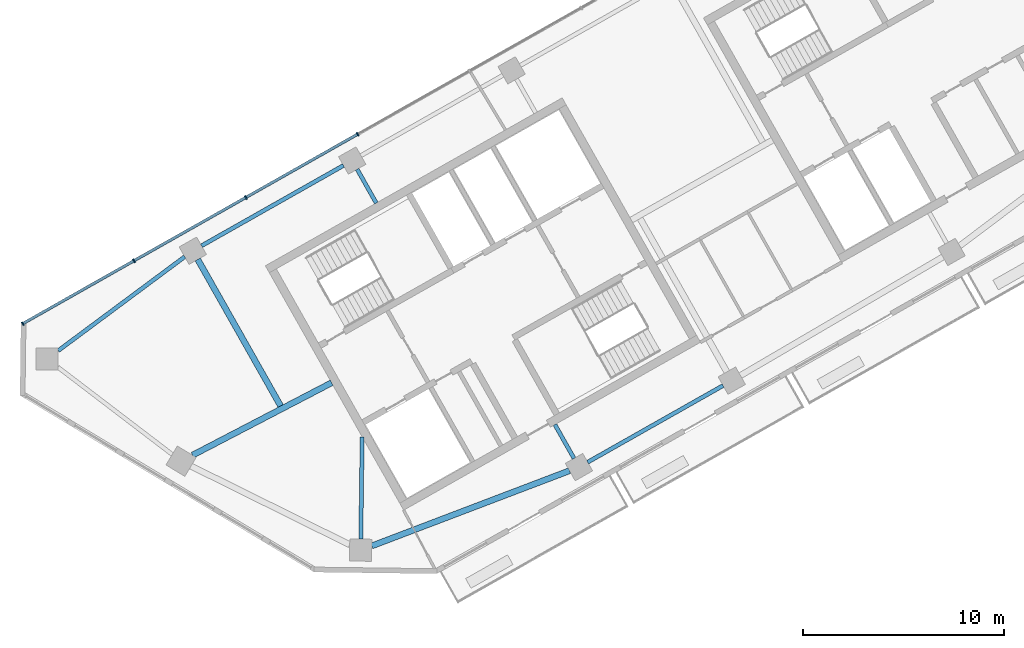
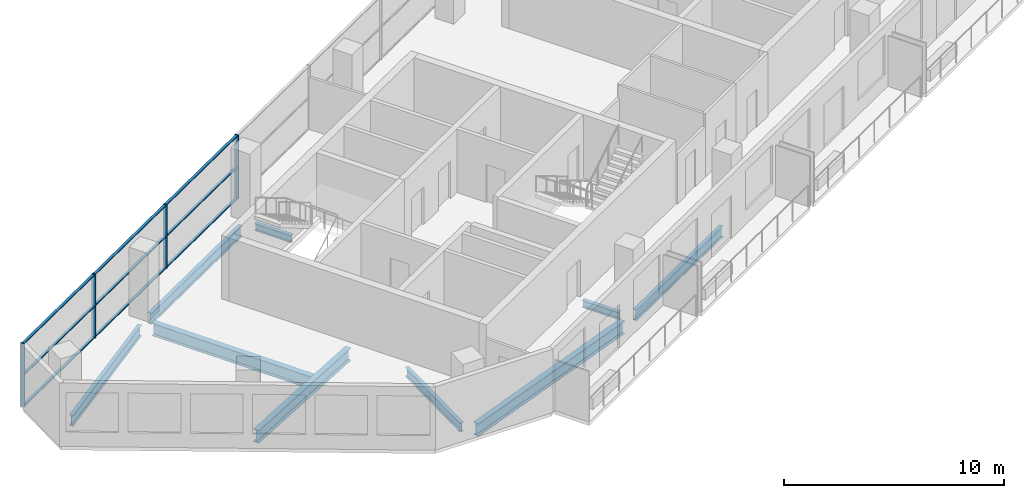
# One storey, part 2 of 10: 13 members, 9 beams, 1 element without a shape of its own.
"""IFC4 building model written with IfcOpenShell, lengths in metres."""

from ifc_helpers import new_model, si_unit, direction, frame, origin, origin_2d, place, context, subcontext, project, spatial, rectangle, i_section, extrude, material, material_profile, profile_set, type_object, element, aggregate, save


model = new_model("IFC4")

# Units and contexts
model_context = context("Model", 3, precision=1e-05, world=origin(), true_north=direction((0.0, 1.0)))
body_context = subcontext(model_context, "Body", "Model", "MODEL_VIEW")
ifc_project = project(units=[si_unit("LENGTHUNIT", "METRE"), si_unit("AREAUNIT", "SQUARE_METRE"), si_unit("VOLUMEUNIT", "CUBIC_METRE"), si_unit("PLANEANGLEUNIT", "RADIAN"), si_unit("MASSUNIT", "GRAM", prefix="KILO")], contexts=[model_context])

# Site, building, storey
site_placement = place(None, origin())
site = spatial("IfcSite", under=ifc_project, at=site_placement, CompositionType="ELEMENT")
building_placement = place(site_placement, origin())
building = spatial("IfcBuilding", under=site, at=building_placement, Name="Binnacle Exchange Tower", CompositionType="ELEMENT")
storey_placement = place(building_placement, frame((0.0, 0.0, 335.5)))
storey = spatial("IfcBuildingStorey", under=building, at=storey_placement, Name="L76", CompositionType="ELEMENT", Elevation=335.5)

# Curtain wall, members
ifc_material_1 = material(Name="Bronze anodised aluminium frame", Category="aluminium")
curtain_wall_type = type_object("IfcCurtainWallType", Name="External wall - curtain wall executive floors", PredefinedType="NOTDEFINED", material=ifc_material_1)
curtain_wall_placement = place(storey_placement, origin())
curtain_wall = element("IfcCurtainWall", 1, at=curtain_wall_placement, inside=storey, type_object=curtain_wall_type, Name="External wall curtain wall CW4-H03 L76", PredefinedType="NOTDEFINED")
ifc_material_profile_1 = material_profile(ifc_material_1, rectangle(XDim=0.199951171875, YDim=0.070068359375, at=origin_2d()), Name="AL 70x200")
ifc_profile_set_1 = profile_set([ifc_material_profile_1], Name="Bronze anodised aluminium frame")
member_type_1 = type_object("IfcMemberType", Name="CW4 MULLION 70x200", PredefinedType="MULLION", material=ifc_profile_set_1)
member_1_placement = place(storey_placement, frame((-42.0078125, 48.233154296875, 0.0), z_axis=(0.0, 0.0, 1.0), x_axis=(0.492423763019, -0.870355581136, 0.0)))
member_1 = element("IfcMember", 2, at=member_1_placement, type_object=member_type_1, Name="CW4-H03 mullion 8", PredefinedType="MULLION", context=body_context, shape_type="SweptSolid", body=[
    extrude(rectangle(XDim=0.199951171875, YDim=0.070068359375, at=origin_2d()), origin(), (0.0, 0.0, 1.0), 3.52001953125),
])
member_2_placement = place(storey_placement, frame((-47.58251953125, 45.0791015625, 0.0), z_axis=(0.0, 0.0, 1.0), x_axis=(0.492423763019, -0.870355581136, 0.0)))
member_2 = element("IfcMember", 3, at=member_2_placement, type_object=member_type_1, Name="CW4-H03 mullion 9", PredefinedType="MULLION", context=body_context, shape_type="SweptSolid", body=[
    extrude(rectangle(XDim=0.199951171875, YDim=0.070068359375, at=origin_2d()), origin(), (0.0, 0.0, 1.0), 3.52001953125),
])
member_3_placement = place(storey_placement, frame((-53.157470703125, 41.9248046875, 0.0), z_axis=(0.0, 0.0, 1.0), x_axis=(0.492423763019, -0.870355581136, 0.0)))
member_3 = element("IfcMember", 4, at=member_3_placement, type_object=member_type_1, Name="CW4-H03 mullion 10", PredefinedType="MULLION", context=body_context, shape_type="SweptSolid", body=[
    extrude(rectangle(XDim=0.199951171875, YDim=0.070068359375, at=origin_2d()), origin(), (0.0, 0.0, 1.0), 3.52001953125),
])
member_4_placement = place(storey_placement, frame((-58.701904296875, 38.7880859375, 0.0), z_axis=(0.0, 0.0, 1.0), x_axis=(0.492423763019, -0.870355581136, 0.0)))
member_4 = element("IfcMember", 5, at=member_4_placement, type_object=member_type_1, Name="CW4-H03 mullion 11", PredefinedType="MULLION", context=body_context, shape_type="SweptSolid", body=[
    extrude(rectangle(XDim=0.199951171875, YDim=0.070068359375, at=origin_2d()), origin(), (0.0, 0.0, 1.0), 3.52001953125),
])
ifc_material_profile_2 = material_profile(ifc_material_1, rectangle(XDim=0.139892578125, YDim=0.050048828125, at=origin_2d()), Name="AL 140x50")
ifc_profile_set_2 = profile_set([ifc_material_profile_2], Name="Bronze anodised aluminium frame")
member_type_2 = type_object("IfcMemberType", Name="CW4 TRANSOM 50x140", PredefinedType="USERDEFINED", material=ifc_profile_set_2)
member_5_placement = place(storey_placement, frame((-42.0380859375, 48.2158203125, 0.02490234375), z_axis=(-0.870355335808, -0.492424196633, 0.0), x_axis=(0.492424196633, -0.870355335808, 0.0)))
member_5 = element("IfcMember", 6, at=member_5_placement, type_object=member_type_2, Name="CW4-H03 transom 8.1", ObjectType="TRANSOM", PredefinedType="USERDEFINED", context=body_context, shape_type="SweptSolid", body=[
    extrude(rectangle(XDim=0.139892578125, YDim=0.050048828125, at=origin_2d()), origin(), (0.0, 0.0, 1.0), 6.335205078125),
])
member_6_placement = place(storey_placement, frame((-42.0380859375, 48.2158203125, 1.760009765625), z_axis=(-0.870355335808, -0.492424196633, 0.0), x_axis=(0.492424196633, -0.870355335808, 0.0)))
member_6 = element("IfcMember", 7, at=member_6_placement, type_object=member_type_2, Name="CW4-H03 transom 8.2", ObjectType="TRANSOM", PredefinedType="USERDEFINED", context=body_context, shape_type="SweptSolid", body=[
    extrude(rectangle(XDim=0.139892578125, YDim=0.050048828125, at=origin_2d()), origin(), (0.0, 0.0, 1.0), 6.335205078125),
])
member_7_placement = place(storey_placement, frame((-42.0380859375, 48.2158203125, 3.4951171875), z_axis=(-0.870355335808, -0.492424196633, 0.0), x_axis=(0.492424196633, -0.870355335808, 0.0)))
member_7 = element("IfcMember", 8, at=member_7_placement, type_object=member_type_2, Name="CW4-H03 transom 8.3", ObjectType="TRANSOM", PredefinedType="USERDEFINED", context=body_context, shape_type="SweptSolid", body=[
    extrude(rectangle(XDim=0.139892578125, YDim=0.050048828125, at=origin_2d()), origin(), (0.0, 0.0, 1.0), 6.335205078125),
])
member_8_placement = place(storey_placement, frame((-47.613037109375, 45.061767578125, 0.02490234375), z_axis=(-0.870355335808, -0.492424196633, 0.0), x_axis=(0.492424196633, -0.870355335808, 0.0)))
member_8 = element("IfcMember", 9, at=member_8_placement, type_object=member_type_2, Name="CW4-H03 transom 9.1", ObjectType="TRANSOM", PredefinedType="USERDEFINED", context=body_context, shape_type="SweptSolid", body=[
    extrude(rectangle(XDim=0.139892578125, YDim=0.050048828125, at=origin_2d()), origin(), (0.0, 0.0, 1.0), 6.335205078125),
])
member_9_placement = place(storey_placement, frame((-47.613037109375, 45.061767578125, 1.760009765625), z_axis=(-0.870355335808, -0.492424196633, 0.0), x_axis=(0.492424196633, -0.870355335808, 0.0)))
member_9 = element("IfcMember", 10, at=member_9_placement, type_object=member_type_2, Name="CW4-H03 transom 9.2", ObjectType="TRANSOM", PredefinedType="USERDEFINED", context=body_context, shape_type="SweptSolid", body=[
    extrude(rectangle(XDim=0.139892578125, YDim=0.050048828125, at=origin_2d()), origin(), (0.0, 0.0, 1.0), 6.335205078125),
])
member_10_placement = place(storey_placement, frame((-47.613037109375, 45.061767578125, 3.4951171875), z_axis=(-0.870355335808, -0.492424196633, 0.0), x_axis=(0.492424196633, -0.870355335808, 0.0)))
member_10 = element("IfcMember", 11, at=member_10_placement, type_object=member_type_2, Name="CW4-H03 transom 9.3", ObjectType="TRANSOM", PredefinedType="USERDEFINED", context=body_context, shape_type="SweptSolid", body=[
    extrude(rectangle(XDim=0.139892578125, YDim=0.050048828125, at=origin_2d()), origin(), (0.0, 0.0, 1.0), 6.335205078125),
])
member_11_placement = place(storey_placement, frame((-53.18798828125, 41.90771484375, 0.02490234375), z_axis=(-0.870343349272, -0.492445382126, 0.0), x_axis=(0.492445382126, -0.870343349272, 0.0)))
member_11 = element("IfcMember", 12, at=member_11_placement, type_object=member_type_2, Name="CW4-H03 transom 10.1", ObjectType="TRANSOM", PredefinedType="USERDEFINED", context=body_context, shape_type="SweptSolid", body=[
    extrude(rectangle(XDim=0.139892578125, YDim=0.050048828125, at=origin_2d()), origin(), (0.0, 0.0, 1.0), 6.30029296875),
])
member_12_placement = place(storey_placement, frame((-53.18798828125, 41.90771484375, 1.760009765625), z_axis=(-0.870343349272, -0.492445382126, 0.0), x_axis=(0.492445382126, -0.870343349272, 0.0)))
member_12 = element("IfcMember", 13, at=member_12_placement, type_object=member_type_2, Name="CW4-H03 transom 10.2", ObjectType="TRANSOM", PredefinedType="USERDEFINED", context=body_context, shape_type="SweptSolid", body=[
    extrude(rectangle(XDim=0.139892578125, YDim=0.050048828125, at=origin_2d()), origin(), (0.0, 0.0, 1.0), 6.30029296875),
])
member_13_placement = place(storey_placement, frame((-53.18798828125, 41.90771484375, 3.4951171875), z_axis=(-0.870343349272, -0.492445382126, 0.0), x_axis=(0.492445382126, -0.870343349272, 0.0)))
member_13 = element("IfcMember", 14, at=member_13_placement, type_object=member_type_2, Name="CW4-H03 transom 10.3", ObjectType="TRANSOM", PredefinedType="USERDEFINED", context=body_context, shape_type="SweptSolid", body=[
    extrude(rectangle(XDim=0.139892578125, YDim=0.050048828125, at=origin_2d()), origin(), (0.0, 0.0, 1.0), 6.30029296875),
])
aggregate(curtain_wall, [member_1, member_2, member_3, member_4, member_5, member_6, member_7, member_8, member_9, member_10, member_11, member_12, member_13])

# Beams
ifc_material_2 = material(Name="Steel S355 (SHN355)", Category="steel")
ifc_material_profile_3 = material_profile(ifc_material_2, i_section(OverallWidth=0.200927734375, OverallDepth=0.60595703125, WebThickness=0.011962890625, FlangeThickness=0.02001953125, FilletRadius=0.02197265625, at=origin_2d()), Name="H 606x201x12x20")
ifc_profile_set_3 = profile_set([ifc_material_profile_3], Name="Steel S355 (SHN355)")
beam_type_1 = type_object("IfcBeamType", Name="Edge girder H 606x201x12x20 Steel S355 (SHN355)", PredefinedType="SPANDREL", material=ifc_profile_set_3)
beam_1_placement = place(storey_placement, frame((-50.630615234375, 42.12255859375, -0.5830078125), z_axis=(-0.802881126557, -0.596139158769, 0.0), x_axis=(0.596139158769, -0.802881126557, 0.0)))
element("IfcBeam", 15, at=beam_1_placement, inside=storey, type_object=beam_type_1, Name="S:BM:edge:L76:005", PredefinedType="SPANDREL", context=body_context, shape_type="SweptSolid", body=[
    extrude(i_section(OverallWidth=0.200927734375, OverallDepth=0.60595703125, WebThickness=0.011962890625, FlangeThickness=0.02001953125, FilletRadius=0.02197265625, at=origin_2d()), origin(), (0.0, 0.0, 1.0), 7.855224609375),
])
beam_2_placement = place(storey_placement, frame((-30.540283203125, 31.881591796875, -0.5830078125), z_axis=(0.870358700717, 0.49241824914, 0.0), x_axis=(-0.49241824914, 0.870358700717, 0.0)))
element("IfcBeam", 16, at=beam_2_placement, inside=storey, type_object=beam_type_1, Name="S:BM:edge:L76:010", PredefinedType="SPANDREL", context=body_context, shape_type="SweptSolid", body=[
    extrude(i_section(OverallWidth=0.200927734375, OverallDepth=0.60595703125, WebThickness=0.011962890625, FlangeThickness=0.02001953125, FilletRadius=0.02197265625, at=origin_2d()), origin(), (0.0, 0.0, 1.0), 7.75439453125),
])
ifc_material_profile_4 = material_profile(ifc_material_2, i_section(OverallWidth=0.201904296875, OverallDepth=0.612060546875, WebThickness=0.012939453125, FlangeThickness=0.02294921875, FilletRadius=0.02197265625, at=origin_2d()), Name="H 612x202x13x23")
ifc_profile_set_4 = profile_set([ifc_material_profile_4], Name="Steel S355 (SHN355)")
beam_type_2 = type_object("IfcBeamType", Name="Edge girder H 612x202x13x23 Steel S355 (SHN355)", PredefinedType="SPANDREL", material=ifc_profile_set_4)
beam_3_placement = place(storey_placement, frame((-42.715087890625, 46.672607421875, -0.5859375), z_axis=(-0.870353024448, -0.49242828192, 0.0), x_axis=(0.49242828192, -0.870353024448, 0.0)))
element("IfcBeam", 17, at=beam_3_placement, inside=storey, type_object=beam_type_2, Name="S:BM:edge:L76:007", PredefinedType="SPANDREL", context=body_context, shape_type="SweptSolid", body=[
    extrude(i_section(OverallWidth=0.201904296875, OverallDepth=0.612060546875, WebThickness=0.012939453125, FlangeThickness=0.02294921875, FilletRadius=0.02197265625, at=origin_2d()), origin(), (0.0, 0.0, 1.0), 8.1298828125),
])
ifc_material_profile_5 = material_profile(ifc_material_2, i_section(OverallWidth=0.300048828125, OverallDepth=0.699951171875, WebThickness=0.012939453125, FlangeThickness=0.02392578125, FilletRadius=0.028076171875, at=origin_2d()), Name="H 700x300x13x24")
ifc_profile_set_5 = profile_set([ifc_material_profile_5], Name="Steel S355 (SHN355)")
beam_type_3 = type_object("IfcBeamType", Name="Edge girder H 700x300x13x24 Steel S355 (SHN355)", PredefinedType="SPANDREL", material=ifc_profile_set_5)
beam_4_placement = place(storey_placement, frame((-41.304931640625, 27.705078125, -0.6298828125), z_axis=(0.934635447744, 0.35560733938, 0.0), x_axis=(-0.35560733938, 0.934635447744, 0.0)))
element("IfcBeam", 18, at=beam_4_placement, inside=storey, type_object=beam_type_3, Name="S:BM:edge:L76:008", PredefinedType="SPANDREL", context=body_context, shape_type="SweptSolid", body=[
    extrude(i_section(OverallWidth=0.300048828125, OverallDepth=0.699951171875, WebThickness=0.012939453125, FlangeThickness=0.02392578125, FilletRadius=0.028076171875, at=origin_2d()), origin(), (0.0, 0.0, 1.0), 10.546142578125),
])
ifc_material_profile_6 = material_profile(ifc_material_2, i_section(OverallWidth=0.199951171875, OverallDepth=0.39990234375, WebThickness=0.008056640625, FlangeThickness=0.012939453125, FilletRadius=0.01611328125, at=origin_2d()), Name="H 400x200x8x13")
ifc_profile_set_6 = profile_set([ifc_material_profile_6], Name="Steel S355 (SHN355)")
beam_type_4 = type_object("IfcBeamType", Name="Floor beam H 400x200x8x13 Steel S355 (SHN355)", PredefinedType="BEAM", material=ifc_profile_set_6)
beam_5_placement = place(storey_placement, frame((-42.03369140625, 46.4833984375, -0.47998046875), z_axis=(0.492423244016, -0.870355874773, 0.0), x_axis=(0.870355874773, 0.492423244016, 0.0)))
element("IfcBeam", 19, at=beam_5_placement, inside=storey, type_object=beam_type_4, Name="S:BM:cross:L76:020", PredefinedType="BEAM", context=body_context, shape_type="SweptSolid", body=[
    extrude(i_section(OverallWidth=0.199951171875, OverallDepth=0.39990234375, WebThickness=0.008056640625, FlangeThickness=0.012939453125, FilletRadius=0.01611328125, at=origin_2d()), origin(), (0.0, 0.0, 1.0), 1.93408203125),
])
beam_6_placement = place(storey_placement, frame((-31.2216796875, 32.070556640625, -0.47998046875), z_axis=(-0.492518856771, 0.870301772792, 0.0), x_axis=(-0.870301772792, -0.492518856771, 0.0)))
element("IfcBeam", 20, at=beam_6_placement, inside=storey, type_object=beam_type_4, Name="S:BM:cross:L76:023", PredefinedType="BEAM", context=body_context, shape_type="SweptSolid", body=[
    extrude(i_section(OverallWidth=0.199951171875, OverallDepth=0.39990234375, WebThickness=0.008056640625, FlangeThickness=0.012939453125, FilletRadius=0.01611328125, at=origin_2d()), origin(), (0.0, 0.0, 1.0), 1.934326171875),
])
ifc_material_profile_7 = material_profile(ifc_material_2, i_section(OverallWidth=0.200927734375, OverallDepth=0.506103515625, WebThickness=0.010986328125, FlangeThickness=0.01904296875, FilletRadius=0.02001953125, at=origin_2d()), Name="H 506x201x11x19")
ifc_profile_set_7 = profile_set([ifc_material_profile_7], Name="Steel S355 (SHN355)")
beam_type_5 = type_object("IfcBeamType", Name="Floor beam H 506x201x11x19 Steel S355 (SHN355)", PredefinedType="BEAM", material=ifc_profile_set_7)
beam_7_placement = place(storey_placement, frame((-41.8505859375, 28.044921875, -0.532958984375), z_axis=(0.013115195493, 0.999913992125, 0.0), x_axis=(-0.999913992125, 0.013115195493, 0.0)))
element("IfcBeam", 21, at=beam_7_placement, inside=storey, type_object=beam_type_5, Name="S:BM:cross:L76:021", PredefinedType="BEAM", context=body_context, shape_type="SweptSolid", body=[
    extrude(i_section(OverallWidth=0.200927734375, OverallDepth=0.506103515625, WebThickness=0.010986328125, FlangeThickness=0.01904296875, FilletRadius=0.02001953125, at=origin_2d()), origin(), (0.0, 0.0, 1.0), 5.1005859375),
])
ifc_material_profile_8 = material_profile(ifc_material_2, i_section(OverallWidth=0.300048828125, OverallDepth=0.699951171875, WebThickness=0.012939453125, FlangeThickness=0.02392578125, FilletRadius=0.028076171875, at=origin_2d()), Name="H 700x300x13x24")
ifc_profile_set_8 = profile_set([ifc_material_profile_8], Name="Steel S355 (SHN355)")
beam_type_6 = type_object("IfcBeamType", Name="Floor beam H 700x300x13x24 Steel S355 (SHN355)", PredefinedType="BEAM", material=ifc_profile_set_8)
beam_8_placement = place(storey_placement, frame((-49.97998046875, 41.98779296875, -0.6298828125), z_axis=(0.492421517933, -0.870356851341, 0.0), x_axis=(0.870356851341, 0.492421517933, 0.0)))
element("IfcBeam", 22, at=beam_8_placement, inside=storey, type_object=beam_type_6, Name="S:BM:cross:L76:019", PredefinedType="BEAM", context=body_context, shape_type="SweptSolid", body=[
    extrude(i_section(OverallWidth=0.300048828125, OverallDepth=0.699951171875, WebThickness=0.012939453125, FlangeThickness=0.02392578125, FilletRadius=0.028076171875, at=origin_2d()), origin(), (0.0, 0.0, 1.0), 8.391357421875),
])
ifc_material_profile_9 = material_profile(ifc_material_2, i_section(OverallWidth=0.300048828125, OverallDepth=0.699951171875, WebThickness=0.012939453125, FlangeThickness=0.02392578125, FilletRadius=0.028076171875, at=origin_2d()), Name="H 700x300x13x24")
ifc_profile_set_9 = profile_set([ifc_material_profile_9], Name="Steel S355 (SHN355)")
beam_type_7 = type_object("IfcBeamType", Name="Spine girder H 700x300x13x24 Steel S355 (SHN355)", PredefinedType="BEAM", material=ifc_profile_set_9)
beam_9_placement = place(storey_placement, frame((-50.239990234375, 32.228759765625, -0.6298828125), z_axis=(0.886978864001, 0.461810020264, 0.0), x_axis=(-0.461810020264, 0.886978864001, 0.0)))
element("IfcBeam", 23, at=beam_9_placement, inside=storey, type_object=beam_type_7, Name="S:BM:spine:L76:001", PredefinedType="BEAM", context=body_context, shape_type="SweptSolid", body=[
    extrude(i_section(OverallWidth=0.300048828125, OverallDepth=0.699951171875, WebThickness=0.012939453125, FlangeThickness=0.02392578125, FilletRadius=0.028076171875, at=origin_2d()), origin(), (0.0, 0.0, 1.0), 7.815673828125),
])

save(model, "model.ifc")
